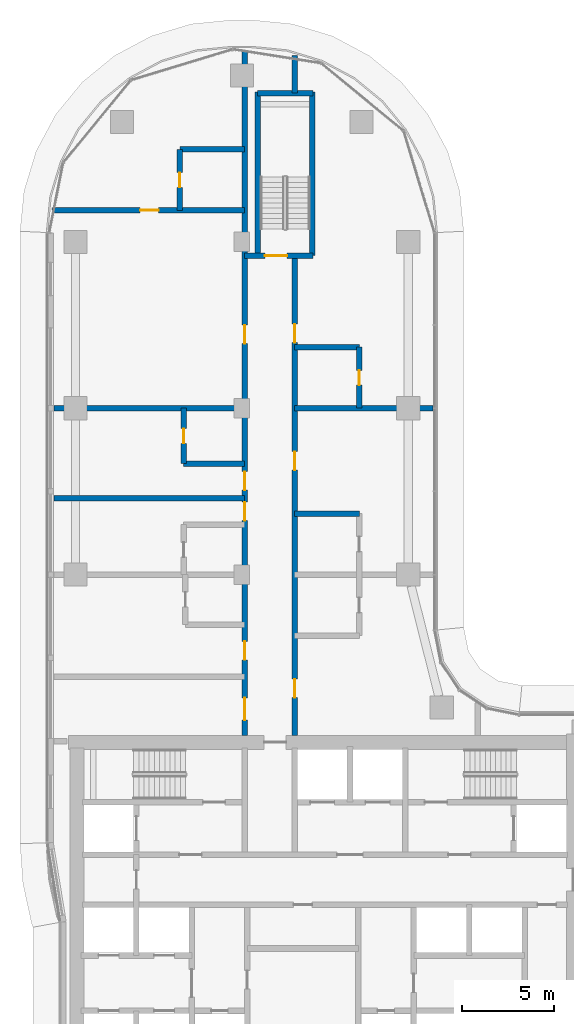
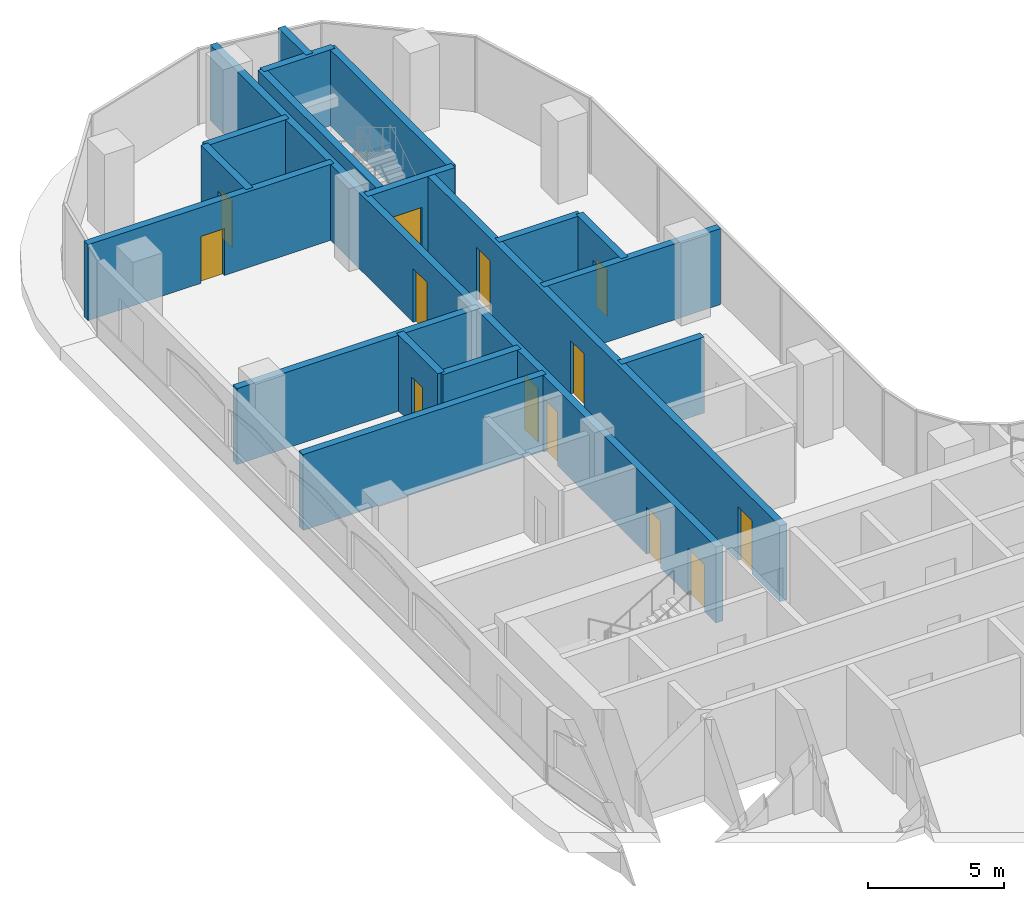
# One storey, part 13 of 25: 18 walls, 13 doors, 13 openings.
"""IFC4 building model written with IfcOpenShell, lengths in metres."""

import ifcopenshell
import ifcopenshell.guid

model = None  # the IFC model being written
_history = None  # IfcOwnerHistory: only IFC2X3 demands one
_inside = {}  # id of a spatial element -> (the spatial element, [elements in it])
_under = {}  # id of a project, library or spatial element -> (it, [spatial elements below it])
_declared = {}  # id of a project -> (the project, [libraries it declares])
_typed = {}  # id of a type object -> (the type object, [elements of that type])
_made_of = {}  # id of a material, layer set ... -> (it, [elements and type objects made of it])


def new_model(schema):
    """Start an empty IFC model of exactly this schema.

    Asked for "IFC4X3", IfcOpenShell would pick the latest addendum, in which some entities
    have other attributes; the version numbers below select the first issue.
    IFC2X3 requires an IfcOwnerHistory on every rooted entity: one is made here for all.
    """
    global model, _history
    if schema == "IFC4X3":
        model = ifcopenshell.file(schema_version=(4, 3, 0, 0))
    else:
        model = ifcopenshell.file(schema=schema)
    _inside.clear()
    _under.clear()
    _declared.clear()
    _typed.clear()
    _made_of.clear()
    _history = None
    if model.schema == "IFC2X3":
        org = make("IfcOrganization", Name="unknown")
        user = make(
            "IfcPersonAndOrganization",
            ThePerson=make("IfcPerson", FamilyName="unknown"),
            TheOrganization=org,
        )
        app = make(
            "IfcApplication",
            ApplicationDeveloper=org,
            Version="unknown",
            ApplicationFullName="unknown",
            ApplicationIdentifier="unknown",
        )
        _history = make(
            "IfcOwnerHistory",
            OwningUser=user,
            OwningApplication=app,
            ChangeAction="ADDED",
            CreationDate=0,
        )
    return model


def make(cls, **values):
    """One entity of the class cls with the attributes given. An attribute that is None is left unset."""
    return model.create_entity(
        cls, **{name: value for name, value in values.items() if value is not None}
    )


def rooted(cls, **values):
    """An entity with a GlobalId (a new one), such as an element, a storey or a relation."""
    return make(cls, GlobalId=ifcopenshell.guid.new(), OwnerHistory=_history, **values)


def si_unit(unit_type, name, prefix=None):
    """IfcSIUnit, for example si_unit("LENGTHUNIT", "METRE", prefix="MILLI")."""
    return make("IfcSIUnit", UnitType=unit_type, Prefix=prefix, Name=name)


def assignment(units):
    """IfcUnitAssignment: the units of a project."""
    return None if units is None else make("IfcUnitAssignment", Units=units)


def point(xyz):
    """IfcCartesianPoint."""
    return None if xyz is None else make("IfcCartesianPoint", Coordinates=xyz)


def direction(xyz):
    """IfcDirection."""
    return None if xyz is None else make("IfcDirection", DirectionRatios=xyz)


def frame(location, z_axis=None, x_axis=None):
    """IfcAxis2Placement3D, a coordinate frame: its origin and axes. An axis left out is left unset."""
    return make(
        "IfcAxis2Placement3D",
        Location=point(location),
        Axis=direction(z_axis),
        RefDirection=direction(x_axis),
    )


def frame_2d(location, x_axis=None):
    """IfcAxis2Placement2D, a coordinate frame in the plane: its origin and x axis."""
    return make(
        "IfcAxis2Placement2D", Location=point(location), RefDirection=direction(x_axis)
    )


def origin():
    """The frame at (0, 0, 0) with its axes left unset."""
    return frame((0.0, 0.0, 0.0))


def place(relative_to, where):
    """IfcLocalPlacement: puts the frame where relative to a parent placement (None: the world)."""
    return make(
        "IfcLocalPlacement", PlacementRelTo=relative_to, RelativePlacement=where
    )


def context(
    kind, dimensions, precision=None, world=None, true_north=None, identifier=None
):
    """IfcGeometricRepresentationContext, for example the 3D "Model" context."""
    return make(
        "IfcGeometricRepresentationContext",
        ContextIdentifier=identifier,
        ContextType=kind,
        CoordinateSpaceDimension=dimensions,
        Precision=precision,
        WorldCoordinateSystem=world,
        TrueNorth=true_north,
    )


def subcontext(parent, identifier, kind, view, scale=None):
    """IfcGeometricRepresentationSubContext, for example "Body" below "Model"."""
    return make(
        "IfcGeometricRepresentationSubContext",
        ContextIdentifier=identifier,
        ContextType=kind,
        ParentContext=parent,
        TargetScale=scale,
        TargetView=view,
    )


def project(units=None, contexts=None):
    """IfcProject with its units and contexts."""
    return rooted(
        "IfcProject",
        Name="project",
        RepresentationContexts=contexts,
        UnitsInContext=assignment(units),
    )


def spatial(cls, under=None, at=None, **own):
    """A site, building, storey or space (cls), placed at a placement, below another one or the project."""
    s = rooted(cls, ObjectPlacement=at, **own)
    if under is not None:
        _under.setdefault(under.id(), (under, []))[1].append(s)
    return s


def profile(cls, at=None, kind="AREA", **sizes):
    """A parametric profile (cls). Its sizes go by their IFC names, for example OverallWidth=200.0."""
    return make(cls, ProfileType=kind, Position=at, **sizes)


def rectangle(**sizes):
    """IfcRectangleProfileDef."""
    return profile("IfcRectangleProfileDef", **sizes)


def extrude(swept, where, along, depth):
    """IfcExtrudedAreaSolid: the profile swept, set in the frame where, extruded along a direction by depth."""
    return make(
        "IfcExtrudedAreaSolid",
        SweptArea=swept,
        Position=where,
        ExtrudedDirection=direction(along),
        Depth=depth,
    )


def shape(context_of_items, identifier, shape_type, items):
    """IfcShapeRepresentation: the items that make up one representation, for example the "Body"."""
    return make(
        "IfcShapeRepresentation",
        ContextOfItems=context_of_items,
        RepresentationIdentifier=identifier,
        RepresentationType=shape_type,
        Items=items,
    )


def material(Name=None, Category=None):
    """IfcMaterial."""
    return make("IfcMaterial", Name=Name, Category=Category)


def layer(
    of_material, thickness, ventilated=None, Name=None, Category=None, Priority=None
):
    """IfcMaterialLayer: one layer of a wall or slab, of a material (None: an air gap)."""
    return make(
        "IfcMaterialLayer",
        Material=of_material,
        LayerThickness=thickness,
        IsVentilated=ventilated,
        Name=Name,
        Category=Category,
        Priority=Priority,
    )


def layer_set(layers, Name=None):
    """IfcMaterialLayerSet."""
    return make("IfcMaterialLayerSet", MaterialLayers=layers, LayerSetName=Name)


def made_of(thing, what):
    """Note that an element or type object is made of a material, layer set ...; save() writes the relation."""
    if what is not None:
        _made_of.setdefault(what.id(), (what, []))[1].append(thing)
    return thing


def type_object(cls, material=None, **own):
    """A type object (cls), such as IfcWallType, which elements share."""
    return made_of(rooted(cls, **own), material)


def element(
    cls,
    number,
    at=None,
    inside=None,
    cuts=None,
    type_object=None,
    material=None,
    context=None,
    identifier="Body",
    shape_type=None,
    held_by="IfcProductDefinitionShape",
    body=None,
    shapes=None,
    **own,
):
    """One element of the class cls, such as IfcWall. Its Tag is "e" and its number.

    at: its placement. inside: the storey or other place that contains it. cuts: it is an
    opening in that element (IfcRelVoidsElement). A single representation is given by context,
    identifier, shape_type and body (its items); several are given by shapes. held_by: the class
    of the entity that holds the representations. save() writes the other relations.
    """
    e = rooted(cls, Tag="e%d" % number, ObjectPlacement=at, **own)
    if body is not None:
        shapes = [shape(context, identifier, shape_type, body)]
    if shapes is not None:
        e.Representation = make(held_by, Representations=shapes)
    if inside is not None:
        _inside.setdefault(inside.id(), (inside, []))[1].append(e)
    if cuts is not None:
        rooted(
            "IfcRelVoidsElement", RelatingBuildingElement=cuts, RelatedOpeningElement=e
        )
    if type_object is not None:
        _typed.setdefault(type_object.id(), (type_object, []))[1].append(e)
    return made_of(e, material)


def fill(opening, filler):
    """IfcRelFillsElement: the door or window that sits in an opening."""
    return rooted(
        "IfcRelFillsElement",
        RelatingOpeningElement=opening,
        RelatedBuildingElement=filler,
    )


def aggregate(whole, parts):
    """IfcRelAggregates: a whole, such as a stair, and the parts it consists of."""
    return rooted("IfcRelAggregates", RelatingObject=whole, RelatedObjects=parts)


def save(model, path):
    """Write the relations noted so far, then the file.

    IfcRelAggregates (storeys below a building ...), IfcRelContainedInSpatialStructure (elements
    in a storey), IfcRelDefinesByType, IfcRelAssociatesMaterial and IfcRelDeclares: one each for
    every whole, place, type object, material and project.
    """
    for whole, parts in _under.values():
        aggregate(whole, parts)
    for where, things in _inside.values():
        rooted(
            "IfcRelContainedInSpatialStructure",
            RelatedElements=things,
            RelatingStructure=where,
        )
    for kind, things in _typed.values():
        rooted("IfcRelDefinesByType", RelatedObjects=things, RelatingType=kind)
    for what, things in _made_of.values():
        rooted("IfcRelAssociatesMaterial", RelatedObjects=things, RelatingMaterial=what)
    for by, libraries in _declared.values():
        rooted("IfcRelDeclares", RelatingContext=by, RelatedDefinitions=libraries)
    model.write(path)


model = new_model("IFC4")

# Units and contexts
model_context = context("Model", 3, precision=1e-05, world=origin(), true_north=direction((0.0, 1.0)))
body_context = subcontext(model_context, "Body", "Model", "MODEL_VIEW")
ifc_project = project(units=[si_unit("LENGTHUNIT", "METRE"), si_unit("AREAUNIT", "SQUARE_METRE"), si_unit("VOLUMEUNIT", "CUBIC_METRE"), si_unit("PLANEANGLEUNIT", "RADIAN"), si_unit("MASSUNIT", "GRAM", prefix="KILO")], contexts=[model_context])

# Site, building, storey
site_placement = place(None, origin())
site = spatial("IfcSite", under=ifc_project, at=site_placement, CompositionType="ELEMENT")
building_placement = place(site_placement, origin())
building = spatial("IfcBuilding", under=site, at=building_placement, Name="Ogive Portal Towers", CompositionType="ELEMENT")
storey_placement = place(building_placement, frame((0.0, 0.0, 105.60009765625)))
storey = spatial("IfcBuildingStorey", under=building, at=storey_placement, Name="L25", CompositionType="ELEMENT", Elevation=105.60009765625)

# Wall, opening, door
ifc_material_1 = material(Name="Concrete C50/60", Category="concrete")
ifc_layer_1 = layer(ifc_material_1, 0.300048828125)
ifc_layer_set_1 = layer_set([ifc_layer_1], Name="STAIR WALL 300 C50")
wall_type_1 = type_object("IfcWallType", Name="STAIR WALL 300 C50", PredefinedType="SHEAR", material=ifc_layer_set_1)
wall_1_placement = place(storey_placement, frame((40.64990234375, 65.75, 0.0), z_axis=(0.0, 0.0, 1.0), x_axis=(1.0, 0.0, 0.0)))
wall_1 = element("IfcWall", 1, at=wall_1_placement, inside=storey, type_object=wall_type_1, Name="Stair wall ST-A3 L25", PredefinedType="SHEAR", context=body_context, shape_type="SweptSolid", body=[
    extrude(rectangle(XDim=3.7001953125, YDim=0.300048828125, at=frame_2d((1.85009765625, 0.0))), origin(), (0.0, 0.0, 1.0), 3.39990234375),
])
opening_1_placement = place(wall_1_placement, frame((1.10009765625, 0.0, 0.0)))
opening_1 = element("IfcOpeningElement", 2, at=opening_1_placement, cuts=wall_1, Name="Opening D09-062", PredefinedType="OPENING", context=body_context, shape_type="SweptSolid", body=[
    extrude(rectangle(XDim=1.199951171875, YDim=2.10009765625, at=frame_2d((0.60009765625, 1.050048828125))), frame((0.0, 0.16015625, 0.0), z_axis=(0.0, -1.0, 0.0), x_axis=(1.0, 0.0, 0.0)), (0.0, 0.0, 1.0), 0.320068359375),
])
ifc_material_2 = material(Name="Steel fire door", Category="steel")
door_type_1 = type_object("IfcDoorType", Name="DT-STAIR-1200x2100-FD90S", OperationType="SINGLE_SWING_LEFT", PredefinedType="DOOR", material=ifc_material_2)
door_1_placement = place(opening_1_placement, origin())
door_1 = element("IfcDoor", 3, at=door_1_placement, inside=storey, type_object=door_type_1, Name="Door D09-062", OperationType="SINGLE_SWING_RIGHT", OverallHeight=2.10009765625, OverallWidth=1.199951171875, PredefinedType="DOOR", context=body_context, shape_type="SweptSolid", body=[
    extrude(rectangle(XDim=1.199951171875, YDim=2.10009765625, at=frame_2d((0.60009765625, 1.050048828125))), frame((0.0, 0.02490234375, 0.0), z_axis=(0.0, -1.0, 0.0), x_axis=(1.0, 0.0, 0.0)), (0.0, 0.0, 1.0), 0.050048828125),
])
fill(opening_1, door_1)

# Walls
wall_2_placement = place(storey_placement, frame((41.35009765625, 74.550048828125, 0.0), z_axis=(0.0, 0.0, 1.0), x_axis=(1.0, 0.0, 0.0)))
element("IfcWall", 4, at=wall_2_placement, inside=storey, type_object=wall_type_1, Name="Stair wall ST-A3 L25", PredefinedType="SHEAR", context=body_context, shape_type="SweptSolid", body=[
    extrude(rectangle(XDim=3.0, YDim=0.300048828125, at=frame_2d((1.5, 0.0))), origin(), (0.0, 0.0, 1.0), 3.39990234375),
])
for number, where, z_axis, x_axis, name in (
    (5, (41.35009765625, 65.75, 0.0), (0.0, 0.0, 1.0), (0.0, 1.0, 0.0), "Stair wall ST-A3 L25"),
    (6, (44.300048828125, 65.75, 0.0), (0.0, 0.0, 1.0), (0.0, 1.0, 0.0), "Stair wall ST-A3 L25"),
):
    element("IfcWall", number, at=place(storey_placement, frame(where, z_axis=z_axis, x_axis=x_axis)), inside=storey, type_object=wall_type_1, Name=name, PredefinedType="SHEAR", context=body_context, shape_type="SweptSolid", body=[
        extrude(rectangle(XDim=8.85009765625, YDim=0.300048828125, at=frame_2d((4.425048828125, 0.0))), origin(), (0.0, 0.0, 1.0), 3.39990234375),
    ])
ifc_material_3 = material(Name="Gypsum board partition on steel studs", Category="steel")
ifc_layer_2 = layer(ifc_material_3, 0.300048828125)
ifc_layer_set_2 = layer_set([ifc_layer_2], Name="WT-PART-300-EI 60")
wall_type_2 = type_object("IfcWallType", Name="WT-PART-300-EI 60", PredefinedType="PARTITIONING", material=ifc_layer_set_2)
wall_3_placement = place(storey_placement, frame((43.35009765625, 51.800048828125, 0.0), z_axis=(0.0, 0.0, 1.0), x_axis=(1.0, 0.0, 0.0)))
element("IfcWall", 7, at=wall_3_placement, inside=storey, type_object=wall_type_2, Name="Wall L25:w022", PredefinedType="PARTITIONING", context=body_context, shape_type="SweptSolid", body=[
    extrude(rectangle(XDim=3.5, YDim=0.300048828125, at=frame_2d((1.75, 0.0))), origin(), (0.0, 0.0, 1.0), 3.39990234375),
])
wall_4_placement = place(storey_placement, frame((30.35009765625, 52.639892578125, 0.0), z_axis=(0.0, 0.0, 1.0), x_axis=(1.0, 0.0, 0.0)))
element("IfcWall", 8, at=wall_4_placement, inside=storey, type_object=wall_type_2, Name="Wall L25:w023", PredefinedType="PARTITIONING", context=body_context, shape_type="SweptSolid", body=[
    extrude(rectangle(XDim=10.2998046875, YDim=0.300048828125, at=frame_2d((5.14990234375, 0.0))), origin(), (0.0, 0.0, 1.0), 3.39990234375),
])
wall_5_placement = place(storey_placement, frame((37.35009765625, 54.5, 0.0), z_axis=(0.0, 0.0, 1.0), x_axis=(1.0, 0.0, 0.0)))
element("IfcWall", 9, at=wall_5_placement, inside=storey, type_object=wall_type_2, Name="Wall L25:w024", PredefinedType="PARTITIONING", context=body_context, shape_type="SweptSolid", body=[
    extrude(rectangle(XDim=3.2998046875, YDim=0.300048828125, at=frame_2d((1.64990234375, 0.0))), origin(), (0.0, 0.0, 1.0), 3.39990234375),
])
wall_6_placement = place(storey_placement, frame((30.35009765625, 57.5, 0.0), z_axis=(0.0, 0.0, 1.0), x_axis=(1.0, 0.0, 0.0)))
element("IfcWall", 10, at=wall_6_placement, inside=storey, type_object=wall_type_2, Name="Wall L25:w025", PredefinedType="PARTITIONING", context=body_context, shape_type="SweptSolid", body=[
    extrude(rectangle(XDim=10.2998046875, YDim=0.300048828125, at=frame_2d((5.14990234375, 0.0))), origin(), (0.0, 0.0, 1.0), 3.39990234375),
])
wall_7_placement = place(storey_placement, frame((43.35009765625, 57.5, 0.0), z_axis=(0.0, 0.0, 1.0), x_axis=(1.0, 0.0, 0.0)))
element("IfcWall", 11, at=wall_7_placement, inside=storey, type_object=wall_type_2, Name="Wall L25:w026", PredefinedType="PARTITIONING", context=body_context, shape_type="SweptSolid", body=[
    extrude(rectangle(XDim=7.47998046875, YDim=0.300048828125, at=frame_2d((3.739990234375, 0.0))), origin(), (0.0, 0.0, 1.0), 3.39990234375),
])
wall_8_placement = place(storey_placement, frame((43.35009765625, 60.800048828125, 0.0), z_axis=(0.0, 0.0, 1.0), x_axis=(1.0, 0.0, 0.0)))
element("IfcWall", 12, at=wall_8_placement, inside=storey, type_object=wall_type_2, Name="Wall L25:w027", PredefinedType="PARTITIONING", context=body_context, shape_type="SweptSolid", body=[
    extrude(rectangle(XDim=3.5, YDim=0.300048828125, at=frame_2d((1.75, 0.0))), origin(), (0.0, 0.0, 1.0), 3.39990234375),
])

# Wall, opening, door
wall_9_placement = place(storey_placement, frame((30.22900390625, 68.199951171875, 0.0), z_axis=(0.0, 0.0, 1.0), x_axis=(1.0, 0.0, 0.0)))
wall_9 = element("IfcWall", 13, at=wall_9_placement, inside=storey, type_object=wall_type_2, Name="Wall L25:w029", PredefinedType="PARTITIONING", context=body_context, shape_type="SweptSolid", body=[
    extrude(rectangle(XDim=10.4208984375, YDim=0.300048828125, at=frame_2d((5.21044921875, 0.0))), origin(), (0.0, 0.0, 1.0), 3.39990234375),
])
opening_2_placement = place(wall_9_placement, frame((4.77099609375, 0.0, 0.0)))
opening_2 = element("IfcOpeningElement", 14, at=opening_2_placement, cuts=wall_9, Name="Opening D09-056", PredefinedType="OPENING", context=body_context, shape_type="SweptSolid", body=[
    extrude(rectangle(XDim=1.0, YDim=2.10009765625, at=frame_2d((0.5, 1.050048828125))), frame((0.0, 0.16015625, 0.0), z_axis=(0.0, -1.0, 0.0), x_axis=(1.0, 0.0, 0.0)), (0.0, 0.0, 1.0), 0.320068359375),
])
door_type_2 = type_object("IfcDoorType", Name="DT-ENTRY-1000x2100-FD60S", OperationType="SINGLE_SWING_LEFT", PredefinedType="DOOR", material=ifc_material_2)
door_2_placement = place(opening_2_placement, origin())
door_2 = element("IfcDoor", 15, at=door_2_placement, inside=storey, type_object=door_type_2, Name="Door D09-056", OperationType="SINGLE_SWING_RIGHT", OverallHeight=2.10009765625, OverallWidth=1.0, PredefinedType="DOOR", context=body_context, shape_type="SweptSolid", body=[
    extrude(rectangle(XDim=1.0, YDim=2.10009765625, at=frame_2d((0.5, 1.050048828125))), frame((0.0, 0.02490234375, 0.0), z_axis=(0.0, -1.0, 0.0), x_axis=(1.0, 0.0, 0.0)), (0.0, 0.0, 1.0), 0.050048828125),
])
fill(opening_2, door_2)

# Wall
wall_10_placement = place(storey_placement, frame((37.14990234375, 71.5, 0.0), z_axis=(0.0, 0.0, 1.0), x_axis=(1.0, 0.0, 0.0)))
element("IfcWall", 16, at=wall_10_placement, inside=storey, type_object=wall_type_2, Name="Wall L25:w030", PredefinedType="PARTITIONING", context=body_context, shape_type="SweptSolid", body=[
    extrude(rectangle(XDim=3.5, YDim=0.300048828125, at=frame_2d((1.75, 0.0))), origin(), (0.0, 0.0, 1.0), 3.39990234375),
])

# Wall, opening, door
wall_11_placement = place(storey_placement, frame((37.14990234375, 68.199951171875, 0.0), z_axis=(0.0, 0.0, 1.0), x_axis=(0.0, 1.0, 0.0)))
wall_11 = element("IfcWall", 17, at=wall_11_placement, inside=storey, type_object=wall_type_2, Name="Wall L25:w032", PredefinedType="PARTITIONING", context=body_context, shape_type="SweptSolid", body=[
    extrude(rectangle(XDim=3.300048828125, YDim=0.300048828125, at=frame_2d((1.64990234375, 0.0))), origin(), (0.0, 0.0, 1.0), 3.39990234375),
])
opening_3_placement = place(wall_11_placement, frame((1.25, 0.0, 0.0)))
opening_3 = element("IfcOpeningElement", 18, at=opening_3_placement, cuts=wall_11, Name="Opening D09-057", PredefinedType="OPENING", context=body_context, shape_type="SweptSolid", body=[
    extrude(rectangle(XDim=0.800048828125, YDim=2.10009765625, at=frame_2d((0.39990234375, 1.050048828125))), frame((0.0, 0.16015625, 0.0), z_axis=(0.0, -1.0, 0.0), x_axis=(1.0, 0.0, 0.0)), (0.0, 0.0, 1.0), 0.320068359375),
])
door_type_3 = type_object("IfcDoorType", Name="DT-BATH-800x2100-FD60S", OperationType="SINGLE_SWING_LEFT", PredefinedType="DOOR", material=ifc_material_2)
door_3_placement = place(opening_3_placement, origin())
door_3 = element("IfcDoor", 19, at=door_3_placement, inside=storey, type_object=door_type_3, Name="Door D09-057", OperationType="SINGLE_SWING_LEFT", OverallHeight=2.10009765625, OverallWidth=0.800048828125, PredefinedType="DOOR", context=body_context, shape_type="SweptSolid", body=[
    extrude(rectangle(XDim=0.800048828125, YDim=2.10009765625, at=frame_2d((0.39990234375, 1.050048828125))), frame((0.0, 0.02490234375, 0.0), z_axis=(0.0, -1.0, 0.0), x_axis=(1.0, 0.0, 0.0)), (0.0, 0.0, 1.0), 0.050048828125),
])
fill(opening_3, door_3)

wall_12_placement = place(storey_placement, frame((37.35009765625, 54.5, 0.0), z_axis=(0.0, 0.0, 1.0), x_axis=(0.0, 1.0, 0.0)))
wall_12 = element("IfcWall", 20, at=wall_12_placement, inside=storey, type_object=wall_type_2, Name="Wall L25:w034", PredefinedType="PARTITIONING", context=body_context, shape_type="SweptSolid", body=[
    extrude(rectangle(XDim=3.0, YDim=0.300048828125, at=frame_2d((1.5, 0.0))), origin(), (0.0, 0.0, 1.0), 3.39990234375),
])
opening_4_placement = place(wall_12_placement, frame((1.10009765625, 0.0, 0.0)))
opening_4 = element("IfcOpeningElement", 21, at=opening_4_placement, cuts=wall_12, Name="Opening D09-051", PredefinedType="OPENING", context=body_context, shape_type="SweptSolid", body=[
    extrude(rectangle(XDim=0.800048828125, YDim=2.10009765625, at=frame_2d((0.39990234375, 1.050048828125))), frame((0.0, 0.16015625, 0.0), z_axis=(0.0, -1.0, 0.0), x_axis=(1.0, 0.0, 0.0)), (0.0, 0.0, 1.0), 0.320068359375),
])
door_4_placement = place(opening_4_placement, origin())
door_4 = element("IfcDoor", 22, at=door_4_placement, inside=storey, type_object=door_type_3, Name="Door D09-051", OperationType="SINGLE_SWING_LEFT", OverallHeight=2.10009765625, OverallWidth=0.800048828125, PredefinedType="DOOR", context=body_context, shape_type="SweptSolid", body=[
    extrude(rectangle(XDim=0.800048828125, YDim=2.10009765625, at=frame_2d((0.39990234375, 1.050048828125))), frame((0.0, 0.02490234375, 0.0), z_axis=(0.0, -1.0, 0.0), x_axis=(1.0, 0.0, 0.0)), (0.0, 0.0, 1.0), 0.050048828125),
])
fill(opening_4, door_4)

# Wall, openings, doors
wall_13_placement = place(storey_placement, frame((40.64990234375, 39.800048828125, 0.0), z_axis=(0.0, 0.0, 1.0), x_axis=(0.0, 1.0, 0.0)))
wall_13 = element("IfcWall", 23, at=wall_13_placement, inside=storey, type_object=wall_type_2, Name="Wall L25:w036", PredefinedType="PARTITIONING", context=body_context, shape_type="SweptSolid", body=[
    extrude(rectangle(XDim=37.08984375, YDim=0.300048828125, at=frame_2d((18.544921875, 0.0))), origin(), (0.0, 0.0, 1.0), 3.39990234375),
])
opening_5_placement = place(wall_13_placement, frame((0.8349609375, 0.0, 0.0)))
opening_5 = element("IfcOpeningElement", 24, at=opening_5_placement, cuts=wall_13, Name="Opening D09-044", PredefinedType="OPENING", context=body_context, shape_type="SweptSolid", body=[
    extrude(rectangle(XDim=1.199951171875, YDim=2.10009765625, at=frame_2d((0.60009765625, 1.050048828125))), frame((0.0, 0.16015625, 0.0), z_axis=(0.0, -1.0, 0.0), x_axis=(1.0, 0.0, 0.0)), (0.0, 0.0, 1.0), 0.320068359375),
])
opening_6_placement = place(wall_13_placement, frame((4.0849609375, 0.0, 0.0)))
opening_6 = element("IfcOpeningElement", 25, at=opening_6_placement, cuts=wall_13, Name="Opening D09-046", PredefinedType="OPENING", context=body_context, shape_type="SweptSolid", body=[
    extrude(rectangle(XDim=1.0, YDim=2.10009765625, at=frame_2d((0.5, 1.050048828125))), frame((0.0, 0.16015625, 0.0), z_axis=(0.0, -1.0, 0.0), x_axis=(1.0, 0.0, 0.0)), (0.0, 0.0, 1.0), 0.320068359375),
])
opening_7_placement = place(wall_13_placement, frame((11.6201171875, 0.0, 0.0)))
opening_7 = element("IfcOpeningElement", 26, at=opening_7_placement, cuts=wall_13, Name="Opening D09-050", PredefinedType="OPENING", context=body_context, shape_type="SweptSolid", body=[
    extrude(rectangle(XDim=1.0, YDim=2.39990234375, at=frame_2d((0.5, 1.199951171875))), frame((0.0, 0.16015625, 0.0), z_axis=(0.0, -1.0, 0.0), x_axis=(1.0, 0.0, 0.0)), (0.0, 0.0, 1.0), 0.320068359375),
])
opening_8_placement = place(wall_13_placement, frame((13.27001953125, 0.0, 0.0)))
opening_8 = element("IfcOpeningElement", 27, at=opening_8_placement, cuts=wall_13, Name="Opening D09-052", PredefinedType="OPENING", context=body_context, shape_type="SweptSolid", body=[
    extrude(rectangle(XDim=1.0, YDim=2.39990234375, at=frame_2d((0.5, 1.199951171875))), frame((0.0, 0.16015625, 0.0), z_axis=(0.0, -1.0, 0.0), x_axis=(1.0, 0.0, 0.0)), (0.0, 0.0, 1.0), 0.320068359375),
])
opening_9_placement = place(wall_13_placement, frame((21.199951171875, 0.0, 0.0)))
opening_9 = element("IfcOpeningElement", 28, at=opening_9_placement, cuts=wall_13, Name="Opening D09-055", PredefinedType="OPENING", context=body_context, shape_type="SweptSolid", body=[
    extrude(rectangle(XDim=1.0, YDim=2.39990234375, at=frame_2d((0.5, 1.199951171875))), frame((0.0, 0.16015625, 0.0), z_axis=(0.0, -1.0, 0.0), x_axis=(1.0, 0.0, 0.0)), (0.0, 0.0, 1.0), 0.320068359375),
])
door_5_placement = place(opening_6_placement, origin())
door_5 = element("IfcDoor", 29, at=door_5_placement, inside=storey, type_object=door_type_2, Name="Door D09-046", OperationType="SINGLE_SWING_LEFT", OverallHeight=2.10009765625, OverallWidth=1.0, PredefinedType="DOOR", context=body_context, shape_type="SweptSolid", body=[
    extrude(rectangle(XDim=1.0, YDim=2.10009765625, at=frame_2d((0.5, 1.050048828125))), frame((0.0, 0.02490234375, 0.0), z_axis=(0.0, -1.0, 0.0), x_axis=(1.0, 0.0, 0.0)), (0.0, 0.0, 1.0), 0.050048828125),
])
fill(opening_6, door_5)
door_type_4 = type_object("IfcDoorType", Name="DT-ENTRY-1000x2400-FD60S", OperationType="SINGLE_SWING_LEFT", PredefinedType="DOOR", material=ifc_material_2)
door_6_placement = place(opening_7_placement, origin())
door_6 = element("IfcDoor", 30, at=door_6_placement, inside=storey, type_object=door_type_4, Name="Door D09-050", OperationType="SINGLE_SWING_LEFT", OverallHeight=2.39990234375, OverallWidth=1.0, PredefinedType="DOOR", context=body_context, shape_type="SweptSolid", body=[
    extrude(rectangle(XDim=1.0, YDim=2.39990234375, at=frame_2d((0.5, 1.199951171875))), frame((0.0, 0.02490234375, 0.0), z_axis=(0.0, -1.0, 0.0), x_axis=(1.0, 0.0, 0.0)), (0.0, 0.0, 1.0), 0.050048828125),
])
fill(opening_7, door_6)
door_7_placement = place(opening_8_placement, origin())
door_7 = element("IfcDoor", 31, at=door_7_placement, inside=storey, type_object=door_type_4, Name="Door D09-052", OperationType="SINGLE_SWING_LEFT", OverallHeight=2.39990234375, OverallWidth=1.0, PredefinedType="DOOR", context=body_context, shape_type="SweptSolid", body=[
    extrude(rectangle(XDim=1.0, YDim=2.39990234375, at=frame_2d((0.5, 1.199951171875))), frame((0.0, 0.02490234375, 0.0), z_axis=(0.0, -1.0, 0.0), x_axis=(1.0, 0.0, 0.0)), (0.0, 0.0, 1.0), 0.050048828125),
])
fill(opening_8, door_7)
door_8_placement = place(opening_9_placement, origin())
door_8 = element("IfcDoor", 32, at=door_8_placement, inside=storey, type_object=door_type_4, Name="Door D09-055", OperationType="SINGLE_SWING_LEFT", OverallHeight=2.39990234375, OverallWidth=1.0, PredefinedType="DOOR", context=body_context, shape_type="SweptSolid", body=[
    extrude(rectangle(XDim=1.0, YDim=2.39990234375, at=frame_2d((0.5, 1.199951171875))), frame((0.0, 0.02490234375, 0.0), z_axis=(0.0, -1.0, 0.0), x_axis=(1.0, 0.0, 0.0)), (0.0, 0.0, 1.0), 0.050048828125),
])
fill(opening_9, door_8)
door_type_5 = type_object("IfcDoorType", Name="DT-ENTRY-1200x2100-FD60S", OperationType="SINGLE_SWING_LEFT", PredefinedType="DOOR", material=ifc_material_2)
door_9_placement = place(opening_5_placement, origin())
door_9 = element("IfcDoor", 33, at=door_9_placement, inside=storey, type_object=door_type_5, Name="Door D09-044", OperationType="SINGLE_SWING_RIGHT", OverallHeight=2.10009765625, OverallWidth=1.199951171875, PredefinedType="DOOR", context=body_context, shape_type="SweptSolid", body=[
    extrude(rectangle(XDim=1.199951171875, YDim=2.10009765625, at=frame_2d((0.60009765625, 1.050048828125))), frame((0.0, 0.02490234375, 0.0), z_axis=(0.0, -1.0, 0.0), x_axis=(1.0, 0.0, 0.0)), (0.0, 0.0, 1.0), 0.050048828125),
])
fill(opening_5, door_9)

# Wall, opening, door
wall_14_placement = place(storey_placement, frame((46.85009765625, 57.5, 0.0), z_axis=(0.0, 0.0, 1.0), x_axis=(0.0, 1.0, 0.0)))
wall_14 = element("IfcWall", 34, at=wall_14_placement, inside=storey, type_object=wall_type_2, Name="Wall L25:w042", PredefinedType="PARTITIONING", context=body_context, shape_type="SweptSolid", body=[
    extrude(rectangle(XDim=3.300048828125, YDim=0.300048828125, at=frame_2d((1.64990234375, 0.0))), origin(), (0.0, 0.0, 1.0), 3.39990234375),
])
opening_10_placement = place(wall_14_placement, frame((1.25, 0.0, 0.0)))
opening_10 = element("IfcOpeningElement", 35, at=opening_10_placement, cuts=wall_14, Name="Opening D09-053", PredefinedType="OPENING", context=body_context, shape_type="SweptSolid", body=[
    extrude(rectangle(XDim=0.800048828125, YDim=2.10009765625, at=frame_2d((0.39990234375, 1.050048828125))), frame((0.0, 0.16015625, 0.0), z_axis=(0.0, -1.0, 0.0), x_axis=(1.0, 0.0, 0.0)), (0.0, 0.0, 1.0), 0.320068359375),
])
door_10_placement = place(opening_10_placement, origin())
door_10 = element("IfcDoor", 36, at=door_10_placement, inside=storey, type_object=door_type_3, Name="Door D09-053", OperationType="SINGLE_SWING_LEFT", OverallHeight=2.10009765625, OverallWidth=0.800048828125, PredefinedType="DOOR", context=body_context, shape_type="SweptSolid", body=[
    extrude(rectangle(XDim=0.800048828125, YDim=2.10009765625, at=frame_2d((0.39990234375, 1.050048828125))), frame((0.0, 0.02490234375, 0.0), z_axis=(0.0, -1.0, 0.0), x_axis=(1.0, 0.0, 0.0)), (0.0, 0.0, 1.0), 0.050048828125),
])
fill(opening_10, door_10)

# Wall, openings, doors
ifc_material_4 = material(Name="Concrete C40/50", Category="concrete")
ifc_layer_3 = layer(ifc_material_4, 0.300048828125)
ifc_layer_set_3 = layer_set([ifc_layer_3], Name="WT-SHAFT-300")
wall_type_3 = type_object("IfcWallType", Name="WT-SHAFT-300", PredefinedType="SOLIDWALL", material=ifc_layer_set_3)
wall_15_placement = place(storey_placement, frame((43.35009765625, 39.800048828125, 0.0), z_axis=(0.0, 0.0, 1.0), x_axis=(0.0, 1.0, 0.0)))
wall_15 = element("IfcWall", 37, at=wall_15_placement, inside=storey, type_object=wall_type_3, Name="Wall L25:w038", PredefinedType="SOLIDWALL", context=body_context, shape_type="SweptSolid", body=[
    extrude(rectangle(XDim=26.0, YDim=0.300048828125, at=frame_2d((13.0, 0.0))), origin(), (0.0, 0.0, 1.0), 3.39990234375),
])
opening_11_placement = place(wall_15_placement, frame((2.050048828125, 0.0, 0.0)))
opening_11 = element("IfcOpeningElement", 38, at=opening_11_placement, cuts=wall_15, Name="Opening D09-043", PredefinedType="OPENING", context=body_context, shape_type="SweptSolid", body=[
    extrude(rectangle(XDim=1.0, YDim=2.39990234375, at=frame_2d((0.5, 1.199951171875))), frame((0.0, 0.16015625, 0.0), z_axis=(0.0, -1.0, 0.0), x_axis=(1.0, 0.0, 0.0)), (0.0, 0.0, 1.0), 0.320068359375),
])
opening_12_placement = place(wall_15_placement, frame((14.35009765625, 0.0, 0.0)))
opening_12 = element("IfcOpeningElement", 39, at=opening_12_placement, cuts=wall_15, Name="Opening D09-048", PredefinedType="OPENING", context=body_context, shape_type="SweptSolid", body=[
    extrude(rectangle(XDim=1.0, YDim=2.39990234375, at=frame_2d((0.5, 1.199951171875))), frame((0.0, 0.16015625, 0.0), z_axis=(0.0, -1.0, 0.0), x_axis=(1.0, 0.0, 0.0)), (0.0, 0.0, 1.0), 0.320068359375),
])
opening_13_placement = place(wall_15_placement, frame((21.25, 0.0, 0.0)))
opening_13 = element("IfcOpeningElement", 40, at=opening_13_placement, cuts=wall_15, Name="Opening D09-054", PredefinedType="OPENING", context=body_context, shape_type="SweptSolid", body=[
    extrude(rectangle(XDim=1.0, YDim=2.39990234375, at=frame_2d((0.5, 1.199951171875))), frame((0.0, 0.16015625, 0.0), z_axis=(0.0, -1.0, 0.0), x_axis=(1.0, 0.0, 0.0)), (0.0, 0.0, 1.0), 0.320068359375),
])
door_type_6 = type_object("IfcDoorType", Name="DT-ENTRY-1000x2400-FD90S", OperationType="SINGLE_SWING_LEFT", PredefinedType="DOOR", material=ifc_material_2)
door_11_placement = place(opening_11_placement, origin())
door_11 = element("IfcDoor", 41, at=door_11_placement, inside=storey, type_object=door_type_6, Name="Door D09-043", OperationType="SINGLE_SWING_LEFT", OverallHeight=2.39990234375, OverallWidth=1.0, PredefinedType="DOOR", context=body_context, shape_type="SweptSolid", body=[
    extrude(rectangle(XDim=1.0, YDim=2.39990234375, at=frame_2d((0.5, 1.199951171875))), frame((0.0, 0.02490234375, 0.0), z_axis=(0.0, -1.0, 0.0), x_axis=(1.0, 0.0, 0.0)), (0.0, 0.0, 1.0), 0.050048828125),
])
fill(opening_11, door_11)
door_12_placement = place(opening_12_placement, origin())
door_12 = element("IfcDoor", 42, at=door_12_placement, inside=storey, type_object=door_type_6, Name="Door D09-048", OperationType="SINGLE_SWING_RIGHT", OverallHeight=2.39990234375, OverallWidth=1.0, PredefinedType="DOOR", context=body_context, shape_type="SweptSolid", body=[
    extrude(rectangle(XDim=1.0, YDim=2.39990234375, at=frame_2d((0.5, 1.199951171875))), frame((0.0, 0.02490234375, 0.0), z_axis=(0.0, -1.0, 0.0), x_axis=(1.0, 0.0, 0.0)), (0.0, 0.0, 1.0), 0.050048828125),
])
fill(opening_12, door_12)
door_13_placement = place(opening_13_placement, origin())
door_13 = element("IfcDoor", 43, at=door_13_placement, inside=storey, type_object=door_type_6, Name="Door D09-054", OperationType="SINGLE_SWING_RIGHT", OverallHeight=2.39990234375, OverallWidth=1.0, PredefinedType="DOOR", context=body_context, shape_type="SweptSolid", body=[
    extrude(rectangle(XDim=1.0, YDim=2.39990234375, at=frame_2d((0.5, 1.199951171875))), frame((0.0, 0.02490234375, 0.0), z_axis=(0.0, -1.0, 0.0), x_axis=(1.0, 0.0, 0.0)), (0.0, 0.0, 1.0), 0.050048828125),
])
fill(opening_13, door_13)

# Wall
wall_16_placement = place(storey_placement, frame((43.35009765625, 74.550048828125, 0.0), z_axis=(0.0, 0.0, 1.0), x_axis=(0.0, 1.0, 0.0)))
element("IfcWall", 44, at=wall_16_placement, inside=storey, type_object=wall_type_3, Name="Wall L25:w039", PredefinedType="SOLIDWALL", context=body_context, shape_type="SweptSolid", body=[
    extrude(rectangle(XDim=2.02197265625, YDim=0.300048828125, at=frame_2d((1.010986328125, 0.0))), origin(), (0.0, 0.0, 1.0), 3.39990234375),
])

save(model, "model.ifc")
